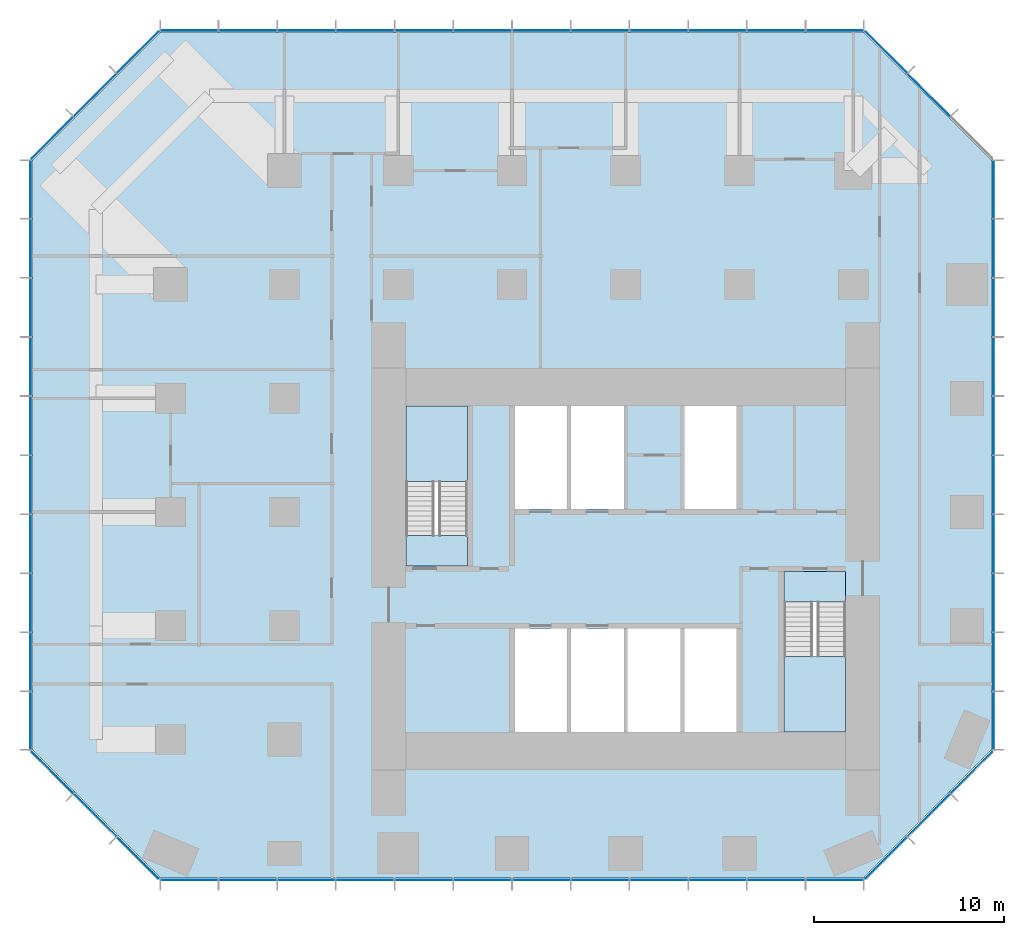
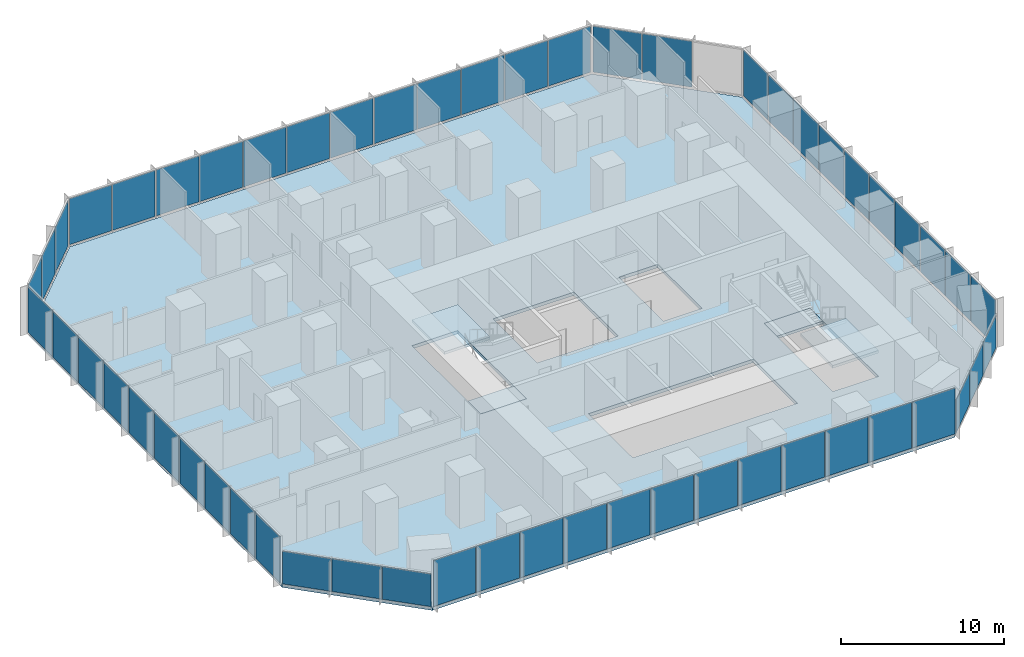
# One storey, part 7 of 11: 55 plates, 5 slabs, 10 elements without a shape of their own.
"""IFC4 building model written with IfcOpenShell, lengths in metres."""

from ifc_helpers import new_model, si_unit, direction, frame, origin, origin_2d, place, context, subcontext, project, spatial, polyline, rectangle, outline, extrude, material, layer, layer_set, type_object, element, aggregate, save


model = new_model("IFC4")

# Units and contexts
model_context = context("Model", 3, precision=1e-05, world=origin(), true_north=direction((0.0, 1.0)))
body_context = subcontext(model_context, "Body", "Model", "MODEL_VIEW")
ifc_project = project(units=[si_unit("LENGTHUNIT", "METRE"), si_unit("AREAUNIT", "SQUARE_METRE"), si_unit("VOLUMEUNIT", "CUBIC_METRE"), si_unit("PLANEANGLEUNIT", "RADIAN"), si_unit("MASSUNIT", "GRAM", prefix="KILO")], contexts=[model_context])

# Site, building, storey
site_placement = place(None, origin())
site = spatial("IfcSite", under=ifc_project, at=site_placement, CompositionType="ELEMENT")
building_placement = place(site_placement, origin())
building = spatial("IfcBuilding", under=site, at=building_placement, Name="Highveld Stack Headquarters", CompositionType="ELEMENT")
storey_placement = place(building_placement, frame((0.0, 0.0, 113.300048828125)))
storey = spatial("IfcBuildingStorey", under=building, at=storey_placement, Name="L27", CompositionType="ELEMENT", Elevation=113.300048828125)

# Curtain wall, plates
ifc_material_1 = material(Name="Aluminium bronze anodised", Category="aluminium")
ifc_layer_1 = layer(ifc_material_1, 0.199951171875)
ifc_layer_set_1 = layer_set([ifc_layer_1], Name="Aluminium bronze anodised")
curtain_wall_type_1 = type_object("IfcCurtainWallType", Name="CW1 TOWER UNITISED CURTAIN WALL", PredefinedType="NOTDEFINED", material=ifc_layer_set_1)
curtain_wall_1_placement = place(storey_placement, origin())
curtain_wall_1 = element("IfcCurtainWall", 1, at=curtain_wall_1_placement, inside=storey, type_object=curtain_wall_type_1, Name="Curtain wall CW1 L27 S", PredefinedType="NOTDEFINED")
ifc_material_2 = material(Name="Glass bronze tinted double glazed unit", Category="glass")
ifc_layer_2 = layer(ifc_material_2, 0.028076171875)
ifc_layer_set_2 = layer_set([ifc_layer_2], Name="Glass bronze tinted double glazed unit")
plate_type_1 = type_object("IfcPlateType", Name="CW1 PANEL BRONZE TINTED DOUBLE GLAZED UNIT", PredefinedType="CURTAIN_PANEL", material=ifc_layer_set_2)
plate_1_placement = place(storey_placement, frame((-17.015380859375, -13.39990234375, 0.10009765625), z_axis=(0.0, 0.0, 1.0), x_axis=(1.0, 0.0, 0.0)))
plate_1 = element("IfcPlate", 2, at=plate_1_placement, type_object=plate_type_1, Name="CW1 panel L27 1.1", PredefinedType="CURTAIN_PANEL", context=body_context, shape_type="SweptSolid", body=[
    extrude(rectangle(XDim=2.9990234375, YDim=0.028076171875, at=origin_2d()), origin(), (0.0, 0.0, 1.0), 3.449951171875),
])
plate_2_placement = place(storey_placement, frame((-13.934814453125, -13.39990234375, 0.10009765625), z_axis=(0.0, 0.0, 1.0), x_axis=(1.0, 0.0, 0.0)))
plate_2 = element("IfcPlate", 3, at=plate_2_placement, type_object=plate_type_1, Name="CW1 panel L27 2.1", PredefinedType="CURTAIN_PANEL", context=body_context, shape_type="SweptSolid", body=[
    extrude(rectangle(XDim=3.031494140625, YDim=0.028076171875, at=origin_2d()), origin(), (0.0, 0.0, 1.0), 3.449951171875),
])
plate_3_placement = place(storey_placement, frame((-10.83837890625, -13.39990234375, 0.10009765625), z_axis=(0.0, 0.0, 1.0), x_axis=(1.0, 0.0, 0.0)))
plate_3 = element("IfcPlate", 4, at=plate_3_placement, type_object=plate_type_1, Name="CW1 panel L27 3.1", PredefinedType="CURTAIN_PANEL", context=body_context, shape_type="SweptSolid", body=[
    extrude(rectangle(XDim=3.031494140625, YDim=0.028076171875, at=origin_2d()), origin(), (0.0, 0.0, 1.0), 3.449951171875),
])
plate_4_placement = place(storey_placement, frame((-7.74169921875, -13.39990234375, 0.10009765625), z_axis=(0.0, 0.0, 1.0), x_axis=(1.0, 0.0, 0.0)))
plate_4 = element("IfcPlate", 5, at=plate_4_placement, type_object=plate_type_1, Name="CW1 panel L27 4.1", PredefinedType="CURTAIN_PANEL", context=body_context, shape_type="SweptSolid", body=[
    extrude(rectangle(XDim=3.031494140625, YDim=0.028076171875, at=origin_2d()), origin(), (0.0, 0.0, 1.0), 3.449951171875),
])
plate_5_placement = place(storey_placement, frame((-4.64501953125, -13.39990234375, 0.10009765625), z_axis=(0.0, 0.0, 1.0), x_axis=(1.0, 0.0, 0.0)))
plate_5 = element("IfcPlate", 6, at=plate_5_placement, type_object=plate_type_1, Name="CW1 panel L27 5.1", PredefinedType="CURTAIN_PANEL", context=body_context, shape_type="SweptSolid", body=[
    extrude(rectangle(XDim=3.031494140625, YDim=0.028076171875, at=origin_2d()), origin(), (0.0, 0.0, 1.0), 3.449951171875),
])
plate_6_placement = place(storey_placement, frame((-1.54833984375, -13.39990234375, 0.10009765625), z_axis=(0.0, 0.0, 1.0), x_axis=(1.0, 0.0, 0.0)))
plate_6 = element("IfcPlate", 7, at=plate_6_placement, type_object=plate_type_1, Name="CW1 panel L27 6.1", PredefinedType="CURTAIN_PANEL", context=body_context, shape_type="SweptSolid", body=[
    extrude(rectangle(XDim=3.031494140625, YDim=0.028076171875, at=origin_2d()), origin(), (0.0, 0.0, 1.0), 3.449951171875),
])
plate_7_placement = place(storey_placement, frame((1.54833984375, -13.39990234375, 0.10009765625), z_axis=(0.0, 0.0, 1.0), x_axis=(1.0, 0.0, 0.0)))
plate_7 = element("IfcPlate", 8, at=plate_7_placement, type_object=plate_type_1, Name="CW1 panel L27 7.1", PredefinedType="CURTAIN_PANEL", context=body_context, shape_type="SweptSolid", body=[
    extrude(rectangle(XDim=3.03173828125, YDim=0.028076171875, at=origin_2d()), origin(), (0.0, 0.0, 1.0), 3.449951171875),
])
plate_8_placement = place(storey_placement, frame((4.64501953125, -13.39990234375, 0.10009765625), z_axis=(0.0, 0.0, 1.0), x_axis=(1.0, 0.0, 0.0)))
plate_8 = element("IfcPlate", 9, at=plate_8_placement, type_object=plate_type_1, Name="CW1 panel L27 8.1", PredefinedType="CURTAIN_PANEL", context=body_context, shape_type="SweptSolid", body=[
    extrude(rectangle(XDim=3.03173828125, YDim=0.028076171875, at=origin_2d()), origin(), (0.0, 0.0, 1.0), 3.449951171875),
])
plate_9_placement = place(storey_placement, frame((7.74169921875, -13.39990234375, 0.10009765625), z_axis=(0.0, 0.0, 1.0), x_axis=(1.0, 0.0, 0.0)))
plate_9 = element("IfcPlate", 10, at=plate_9_placement, type_object=plate_type_1, Name="CW1 panel L27 9.1", PredefinedType="CURTAIN_PANEL", context=body_context, shape_type="SweptSolid", body=[
    extrude(rectangle(XDim=3.03173828125, YDim=0.028076171875, at=origin_2d()), origin(), (0.0, 0.0, 1.0), 3.449951171875),
])
plate_10_placement = place(storey_placement, frame((10.83837890625, -13.39990234375, 0.10009765625), z_axis=(0.0, 0.0, 1.0), x_axis=(1.0, 0.0, 0.0)))
plate_10 = element("IfcPlate", 11, at=plate_10_placement, type_object=plate_type_1, Name="CW1 panel L27 10.1", PredefinedType="CURTAIN_PANEL", context=body_context, shape_type="SweptSolid", body=[
    extrude(rectangle(XDim=3.03173828125, YDim=0.028076171875, at=origin_2d()), origin(), (0.0, 0.0, 1.0), 3.449951171875),
])
plate_11_placement = place(storey_placement, frame((13.934814453125, -13.39990234375, 0.10009765625), z_axis=(0.0, 0.0, 1.0), x_axis=(1.0, 0.0, 0.0)))
plate_11 = element("IfcPlate", 12, at=plate_11_placement, type_object=plate_type_1, Name="CW1 panel L27 11.1", PredefinedType="CURTAIN_PANEL", context=body_context, shape_type="SweptSolid", body=[
    extrude(rectangle(XDim=3.03173828125, YDim=0.028076171875, at=origin_2d()), origin(), (0.0, 0.0, 1.0), 3.449951171875),
])
plate_12_placement = place(storey_placement, frame((17.015380859375, -13.39990234375, 0.10009765625), z_axis=(0.0, 0.0, 1.0), x_axis=(1.0, 0.0, 0.0)))
plate_12 = element("IfcPlate", 13, at=plate_12_placement, type_object=plate_type_1, Name="CW1 panel L27 12.1", PredefinedType="CURTAIN_PANEL", context=body_context, shape_type="SweptSolid", body=[
    extrude(rectangle(XDim=2.999267578125, YDim=0.028076171875, at=origin_2d()), origin(), (0.0, 0.0, 1.0), 3.449951171875),
])
aggregate(curtain_wall_1, [plate_1, plate_2, plate_3, plate_4, plate_5, plate_6, plate_7, plate_8, plate_9, plate_10, plate_11, plate_12])

curtain_wall_2_placement = place(storey_placement, origin())
curtain_wall_2 = element("IfcCurtainWall", 14, at=curtain_wall_2_placement, inside=storey, type_object=curtain_wall_type_1, Name="Curtain wall CW1 L27 E", PredefinedType="NOTDEFINED")
plate_13_placement = place(storey_placement, frame((25.39990234375, -5.005615234375, 0.10009765625), z_axis=(0.0, 0.0, 1.0), x_axis=(0.0, 1.0, 0.0)))
plate_13 = element("IfcPlate", 15, at=plate_13_placement, type_object=plate_type_1, Name="CW1 panel L27 1.1", PredefinedType="CURTAIN_PANEL", context=body_context, shape_type="SweptSolid", body=[
    extrude(rectangle(XDim=3.0185546875, YDim=0.028076171875, at=origin_2d()), origin(), (0.0, 0.0, 1.0), 3.449951171875),
])
plate_14_placement = place(storey_placement, frame((25.39990234375, -1.906005859375, 0.10009765625), z_axis=(0.0, 0.0, 1.0), x_axis=(0.0, 1.0, 0.0)))
plate_14 = element("IfcPlate", 16, at=plate_14_placement, type_object=plate_type_1, Name="CW1 panel L27 2.1", PredefinedType="CURTAIN_PANEL", context=body_context, shape_type="SweptSolid", body=[
    extrude(rectangle(XDim=3.051025390625, YDim=0.028076171875, at=origin_2d()), origin(), (0.0, 0.0, 1.0), 3.449951171875),
])
plate_15_placement = place(storey_placement, frame((25.39990234375, 1.2099609375, 0.10009765625), z_axis=(0.0, 0.0, 1.0), x_axis=(0.0, 1.0, 0.0)))
plate_15 = element("IfcPlate", 17, at=plate_15_placement, type_object=plate_type_1, Name="CW1 panel L27 3.1", PredefinedType="CURTAIN_PANEL", context=body_context, shape_type="SweptSolid", body=[
    extrude(rectangle(XDim=3.051025390625, YDim=0.028076171875, at=origin_2d()), origin(), (0.0, 0.0, 1.0), 3.449951171875),
])
plate_16_placement = place(storey_placement, frame((25.39990234375, 4.325927734375, 0.10009765625), z_axis=(0.0, 0.0, 1.0), x_axis=(0.0, 1.0, 0.0)))
plate_16 = element("IfcPlate", 18, at=plate_16_placement, type_object=plate_type_1, Name="CW1 panel L27 4.1", PredefinedType="CURTAIN_PANEL", context=body_context, shape_type="SweptSolid", body=[
    extrude(rectangle(XDim=3.051025390625, YDim=0.028076171875, at=origin_2d()), origin(), (0.0, 0.0, 1.0), 3.449951171875),
])
plate_17_placement = place(storey_placement, frame((25.39990234375, 7.44189453125, 0.10009765625), z_axis=(0.0, 0.0, 1.0), x_axis=(0.0, 1.0, 0.0)))
plate_17 = element("IfcPlate", 19, at=plate_17_placement, type_object=plate_type_1, Name="CW1 panel L27 5.1", PredefinedType="CURTAIN_PANEL", context=body_context, shape_type="SweptSolid", body=[
    extrude(rectangle(XDim=3.051025390625, YDim=0.028076171875, at=origin_2d()), origin(), (0.0, 0.0, 1.0), 3.449951171875),
])
plate_18_placement = place(storey_placement, frame((25.39990234375, 10.55810546875, 0.10009765625), z_axis=(0.0, 0.0, 1.0), x_axis=(0.0, 1.0, 0.0)))
plate_18 = element("IfcPlate", 20, at=plate_18_placement, type_object=plate_type_1, Name="CW1 panel L27 6.1", PredefinedType="CURTAIN_PANEL", context=body_context, shape_type="SweptSolid", body=[
    extrude(rectangle(XDim=3.051025390625, YDim=0.028076171875, at=origin_2d()), origin(), (0.0, 0.0, 1.0), 3.449951171875),
])
plate_19_placement = place(storey_placement, frame((25.39990234375, 13.674072265625, 0.10009765625), z_axis=(0.0, 0.0, 1.0), x_axis=(0.0, 1.0, 0.0)))
plate_19 = element("IfcPlate", 21, at=plate_19_placement, type_object=plate_type_1, Name="CW1 panel L27 7.1", PredefinedType="CURTAIN_PANEL", context=body_context, shape_type="SweptSolid", body=[
    extrude(rectangle(XDim=3.051025390625, YDim=0.028076171875, at=origin_2d()), origin(), (0.0, 0.0, 1.0), 3.449951171875),
])
plate_20_placement = place(storey_placement, frame((25.39990234375, 16.789794921875, 0.10009765625), z_axis=(0.0, 0.0, 1.0), x_axis=(0.0, 1.0, 0.0)))
plate_20 = element("IfcPlate", 22, at=plate_20_placement, type_object=plate_type_1, Name="CW1 panel L27 8.1", PredefinedType="CURTAIN_PANEL", context=body_context, shape_type="SweptSolid", body=[
    extrude(rectangle(XDim=3.051025390625, YDim=0.028076171875, at=origin_2d()), origin(), (0.0, 0.0, 1.0), 3.449951171875),
])
plate_21_placement = place(storey_placement, frame((25.39990234375, 19.906005859375, 0.10009765625), z_axis=(0.0, 0.0, 1.0), x_axis=(0.0, 1.0, 0.0)))
plate_21 = element("IfcPlate", 23, at=plate_21_placement, type_object=plate_type_1, Name="CW1 panel L27 9.1", PredefinedType="CURTAIN_PANEL", context=body_context, shape_type="SweptSolid", body=[
    extrude(rectangle(XDim=3.051025390625, YDim=0.028076171875, at=origin_2d()), origin(), (0.0, 0.0, 1.0), 3.449951171875),
])
plate_22_placement = place(storey_placement, frame((25.39990234375, 23.005615234375, 0.10009765625), z_axis=(0.0, 0.0, 1.0), x_axis=(0.0, 1.0, 0.0)))
plate_22 = element("IfcPlate", 24, at=plate_22_placement, type_object=plate_type_1, Name="CW1 panel L27 10.1", PredefinedType="CURTAIN_PANEL", context=body_context, shape_type="SweptSolid", body=[
    extrude(rectangle(XDim=3.0185546875, YDim=0.028076171875, at=origin_2d()), origin(), (0.0, 0.0, 1.0), 3.449951171875),
])
aggregate(curtain_wall_2, [plate_13, plate_14, plate_15, plate_16, plate_17, plate_18, plate_19, plate_20, plate_21, plate_22])

curtain_wall_3_placement = place(storey_placement, origin())
curtain_wall_3 = element("IfcCurtainWall", 25, at=curtain_wall_3_placement, inside=storey, type_object=curtain_wall_type_1, Name="Curtain wall CW1 L27 N", PredefinedType="NOTDEFINED")
plate_23_placement = place(storey_placement, frame((17.015380859375, 31.39990234375, 0.10009765625), z_axis=(0.0, 0.0, 1.0), x_axis=(-1.0, 0.0, 0.0)))
plate_23 = element("IfcPlate", 26, at=plate_23_placement, type_object=plate_type_1, Name="CW1 panel L27 1.1", PredefinedType="CURTAIN_PANEL", context=body_context, shape_type="SweptSolid", body=[
    extrude(rectangle(XDim=2.9990234375, YDim=0.028076171875, at=origin_2d()), origin(), (0.0, 0.0, 1.0), 3.449951171875),
])
plate_24_placement = place(storey_placement, frame((13.934814453125, 31.39990234375, 0.10009765625), z_axis=(0.0, 0.0, 1.0), x_axis=(-1.0, 0.0, 0.0)))
plate_24 = element("IfcPlate", 27, at=plate_24_placement, type_object=plate_type_1, Name="CW1 panel L27 2.1", PredefinedType="CURTAIN_PANEL", context=body_context, shape_type="SweptSolid", body=[
    extrude(rectangle(XDim=3.031494140625, YDim=0.028076171875, at=origin_2d()), origin(), (0.0, 0.0, 1.0), 3.449951171875),
])
plate_25_placement = place(storey_placement, frame((10.83837890625, 31.39990234375, 0.10009765625), z_axis=(0.0, 0.0, 1.0), x_axis=(-1.0, 0.0, 0.0)))
plate_25 = element("IfcPlate", 28, at=plate_25_placement, type_object=plate_type_1, Name="CW1 panel L27 3.1", PredefinedType="CURTAIN_PANEL", context=body_context, shape_type="SweptSolid", body=[
    extrude(rectangle(XDim=3.031494140625, YDim=0.028076171875, at=origin_2d()), origin(), (0.0, 0.0, 1.0), 3.449951171875),
])
plate_26_placement = place(storey_placement, frame((7.74169921875, 31.39990234375, 0.10009765625), z_axis=(0.0, 0.0, 1.0), x_axis=(-1.0, 0.0, 0.0)))
plate_26 = element("IfcPlate", 29, at=plate_26_placement, type_object=plate_type_1, Name="CW1 panel L27 4.1", PredefinedType="CURTAIN_PANEL", context=body_context, shape_type="SweptSolid", body=[
    extrude(rectangle(XDim=3.031494140625, YDim=0.028076171875, at=origin_2d()), origin(), (0.0, 0.0, 1.0), 3.449951171875),
])
plate_27_placement = place(storey_placement, frame((4.64501953125, 31.39990234375, 0.10009765625), z_axis=(0.0, 0.0, 1.0), x_axis=(-1.0, 0.0, 0.0)))
plate_27 = element("IfcPlate", 30, at=plate_27_placement, type_object=plate_type_1, Name="CW1 panel L27 5.1", PredefinedType="CURTAIN_PANEL", context=body_context, shape_type="SweptSolid", body=[
    extrude(rectangle(XDim=3.031494140625, YDim=0.028076171875, at=origin_2d()), origin(), (0.0, 0.0, 1.0), 3.449951171875),
])
plate_28_placement = place(storey_placement, frame((1.54833984375, 31.39990234375, 0.10009765625), z_axis=(0.0, 0.0, 1.0), x_axis=(-1.0, 0.0, 0.0)))
plate_28 = element("IfcPlate", 31, at=plate_28_placement, type_object=plate_type_1, Name="CW1 panel L27 6.1", PredefinedType="CURTAIN_PANEL", context=body_context, shape_type="SweptSolid", body=[
    extrude(rectangle(XDim=3.031494140625, YDim=0.028076171875, at=origin_2d()), origin(), (0.0, 0.0, 1.0), 3.449951171875),
])
plate_29_placement = place(storey_placement, frame((-1.54833984375, 31.39990234375, 0.10009765625), z_axis=(0.0, 0.0, 1.0), x_axis=(-1.0, 0.0, 0.0)))
plate_29 = element("IfcPlate", 32, at=plate_29_placement, type_object=plate_type_1, Name="CW1 panel L27 7.1", PredefinedType="CURTAIN_PANEL", context=body_context, shape_type="SweptSolid", body=[
    extrude(rectangle(XDim=3.03173828125, YDim=0.028076171875, at=origin_2d()), origin(), (0.0, 0.0, 1.0), 3.449951171875),
])
plate_30_placement = place(storey_placement, frame((-4.64501953125, 31.39990234375, 0.10009765625), z_axis=(0.0, 0.0, 1.0), x_axis=(-1.0, 0.0, 0.0)))
plate_30 = element("IfcPlate", 33, at=plate_30_placement, type_object=plate_type_1, Name="CW1 panel L27 8.1", PredefinedType="CURTAIN_PANEL", context=body_context, shape_type="SweptSolid", body=[
    extrude(rectangle(XDim=3.03173828125, YDim=0.028076171875, at=origin_2d()), origin(), (0.0, 0.0, 1.0), 3.449951171875),
])
plate_31_placement = place(storey_placement, frame((-7.74169921875, 31.39990234375, 0.10009765625), z_axis=(0.0, 0.0, 1.0), x_axis=(-1.0, 0.0, 0.0)))
plate_31 = element("IfcPlate", 34, at=plate_31_placement, type_object=plate_type_1, Name="CW1 panel L27 9.1", PredefinedType="CURTAIN_PANEL", context=body_context, shape_type="SweptSolid", body=[
    extrude(rectangle(XDim=3.03173828125, YDim=0.028076171875, at=origin_2d()), origin(), (0.0, 0.0, 1.0), 3.449951171875),
])
plate_32_placement = place(storey_placement, frame((-10.83837890625, 31.39990234375, 0.10009765625), z_axis=(0.0, 0.0, 1.0), x_axis=(-1.0, 0.0, 0.0)))
plate_32 = element("IfcPlate", 35, at=plate_32_placement, type_object=plate_type_1, Name="CW1 panel L27 10.1", PredefinedType="CURTAIN_PANEL", context=body_context, shape_type="SweptSolid", body=[
    extrude(rectangle(XDim=3.03173828125, YDim=0.028076171875, at=origin_2d()), origin(), (0.0, 0.0, 1.0), 3.449951171875),
])
plate_33_placement = place(storey_placement, frame((-13.934814453125, 31.39990234375, 0.10009765625), z_axis=(0.0, 0.0, 1.0), x_axis=(-1.0, 0.0, 0.0)))
plate_33 = element("IfcPlate", 36, at=plate_33_placement, type_object=plate_type_1, Name="CW1 panel L27 11.1", PredefinedType="CURTAIN_PANEL", context=body_context, shape_type="SweptSolid", body=[
    extrude(rectangle(XDim=3.03173828125, YDim=0.028076171875, at=origin_2d()), origin(), (0.0, 0.0, 1.0), 3.449951171875),
])
plate_34_placement = place(storey_placement, frame((-17.015380859375, 31.39990234375, 0.10009765625), z_axis=(0.0, 0.0, 1.0), x_axis=(-1.0, 0.0, 0.0)))
plate_34 = element("IfcPlate", 37, at=plate_34_placement, type_object=plate_type_1, Name="CW1 panel L27 12.1", PredefinedType="CURTAIN_PANEL", context=body_context, shape_type="SweptSolid", body=[
    extrude(rectangle(XDim=2.999267578125, YDim=0.028076171875, at=origin_2d()), origin(), (0.0, 0.0, 1.0), 3.449951171875),
])
aggregate(curtain_wall_3, [plate_23, plate_24, plate_25, plate_26, plate_27, plate_28, plate_29, plate_30, plate_31, plate_32, plate_33, plate_34])

curtain_wall_4_placement = place(storey_placement, origin())
curtain_wall_4 = element("IfcCurtainWall", 38, at=curtain_wall_4_placement, inside=storey, type_object=curtain_wall_type_1, Name="Curtain wall CW1 L27 W", PredefinedType="NOTDEFINED")
plate_35_placement = place(storey_placement, frame((-25.39990234375, 23.005615234375, 0.10009765625), z_axis=(0.0, 0.0, 1.0), x_axis=(0.0, -1.0, 0.0)))
plate_35 = element("IfcPlate", 39, at=plate_35_placement, type_object=plate_type_1, Name="CW1 panel L27 1.1", PredefinedType="CURTAIN_PANEL", context=body_context, shape_type="SweptSolid", body=[
    extrude(rectangle(XDim=3.0185546875, YDim=0.028076171875, at=origin_2d()), origin(), (0.0, 0.0, 1.0), 3.449951171875),
])
plate_36_placement = place(storey_placement, frame((-25.39990234375, 19.906005859375, 0.10009765625), z_axis=(0.0, 0.0, 1.0), x_axis=(0.0, -1.0, 0.0)))
plate_36 = element("IfcPlate", 40, at=plate_36_placement, type_object=plate_type_1, Name="CW1 panel L27 2.1", PredefinedType="CURTAIN_PANEL", context=body_context, shape_type="SweptSolid", body=[
    extrude(rectangle(XDim=3.051025390625, YDim=0.028076171875, at=origin_2d()), origin(), (0.0, 0.0, 1.0), 3.449951171875),
])
plate_37_placement = place(storey_placement, frame((-25.39990234375, 16.7900390625, 0.10009765625), z_axis=(0.0, 0.0, 1.0), x_axis=(0.0, -1.0, 0.0)))
plate_37 = element("IfcPlate", 41, at=plate_37_placement, type_object=plate_type_1, Name="CW1 panel L27 3.1", PredefinedType="CURTAIN_PANEL", context=body_context, shape_type="SweptSolid", body=[
    extrude(rectangle(XDim=3.051025390625, YDim=0.028076171875, at=origin_2d()), origin(), (0.0, 0.0, 1.0), 3.449951171875),
])
plate_38_placement = place(storey_placement, frame((-25.39990234375, 13.674072265625, 0.10009765625), z_axis=(0.0, 0.0, 1.0), x_axis=(0.0, -1.0, 0.0)))
plate_38 = element("IfcPlate", 42, at=plate_38_placement, type_object=plate_type_1, Name="CW1 panel L27 4.1", PredefinedType="CURTAIN_PANEL", context=body_context, shape_type="SweptSolid", body=[
    extrude(rectangle(XDim=3.051025390625, YDim=0.028076171875, at=origin_2d()), origin(), (0.0, 0.0, 1.0), 3.449951171875),
])
plate_39_placement = place(storey_placement, frame((-25.39990234375, 10.55810546875, 0.10009765625), z_axis=(0.0, 0.0, 1.0), x_axis=(0.0, -1.0, 0.0)))
plate_39 = element("IfcPlate", 43, at=plate_39_placement, type_object=plate_type_1, Name="CW1 panel L27 5.1", PredefinedType="CURTAIN_PANEL", context=body_context, shape_type="SweptSolid", body=[
    extrude(rectangle(XDim=3.051025390625, YDim=0.028076171875, at=origin_2d()), origin(), (0.0, 0.0, 1.0), 3.449951171875),
])
plate_40_placement = place(storey_placement, frame((-25.39990234375, 7.44189453125, 0.10009765625), z_axis=(0.0, 0.0, 1.0), x_axis=(0.0, -1.0, 0.0)))
plate_40 = element("IfcPlate", 44, at=plate_40_placement, type_object=plate_type_1, Name="CW1 panel L27 6.1", PredefinedType="CURTAIN_PANEL", context=body_context, shape_type="SweptSolid", body=[
    extrude(rectangle(XDim=3.051025390625, YDim=0.028076171875, at=origin_2d()), origin(), (0.0, 0.0, 1.0), 3.449951171875),
])
plate_41_placement = place(storey_placement, frame((-25.39990234375, 4.325927734375, 0.10009765625), z_axis=(0.0, 0.0, 1.0), x_axis=(0.0, -1.0, 0.0)))
plate_41 = element("IfcPlate", 45, at=plate_41_placement, type_object=plate_type_1, Name="CW1 panel L27 7.1", PredefinedType="CURTAIN_PANEL", context=body_context, shape_type="SweptSolid", body=[
    extrude(rectangle(XDim=3.051025390625, YDim=0.028076171875, at=origin_2d()), origin(), (0.0, 0.0, 1.0), 3.449951171875),
])
plate_42_placement = place(storey_placement, frame((-25.39990234375, 1.210205078125, 0.10009765625), z_axis=(0.0, 0.0, 1.0), x_axis=(0.0, -1.0, 0.0)))
plate_42 = element("IfcPlate", 46, at=plate_42_placement, type_object=plate_type_1, Name="CW1 panel L27 8.1", PredefinedType="CURTAIN_PANEL", context=body_context, shape_type="SweptSolid", body=[
    extrude(rectangle(XDim=3.051025390625, YDim=0.028076171875, at=origin_2d()), origin(), (0.0, 0.0, 1.0), 3.449951171875),
])
plate_43_placement = place(storey_placement, frame((-25.39990234375, -1.906005859375, 0.10009765625), z_axis=(0.0, 0.0, 1.0), x_axis=(0.0, -1.0, 0.0)))
plate_43 = element("IfcPlate", 47, at=plate_43_placement, type_object=plate_type_1, Name="CW1 panel L27 9.1", PredefinedType="CURTAIN_PANEL", context=body_context, shape_type="SweptSolid", body=[
    extrude(rectangle(XDim=3.051025390625, YDim=0.028076171875, at=origin_2d()), origin(), (0.0, 0.0, 1.0), 3.449951171875),
])
plate_44_placement = place(storey_placement, frame((-25.39990234375, -5.005615234375, 0.10009765625), z_axis=(0.0, 0.0, 1.0), x_axis=(0.0, -1.0, 0.0)))
plate_44 = element("IfcPlate", 48, at=plate_44_placement, type_object=plate_type_1, Name="CW1 panel L27 10.1", PredefinedType="CURTAIN_PANEL", context=body_context, shape_type="SweptSolid", body=[
    extrude(rectangle(XDim=3.0185546875, YDim=0.028076171875, at=origin_2d()), origin(), (0.0, 0.0, 1.0), 3.449951171875),
])
aggregate(curtain_wall_4, [plate_35, plate_36, plate_37, plate_38, plate_39, plate_40, plate_41, plate_42, plate_43, plate_44])

ifc_material_3 = material(Name="Aluminium bronze anodised", Category="aluminium")
ifc_layer_3 = layer(ifc_material_3, 0.199951171875)
ifc_layer_set_3 = layer_set([ifc_layer_3], Name="Aluminium bronze anodised")
curtain_wall_type_2 = type_object("IfcCurtainWallType", Name="CW2 TOWER CHAMFER UNITISED CURTAIN WALL", PredefinedType="NOTDEFINED", material=ifc_layer_set_3)
curtain_wall_5_placement = place(storey_placement, origin())
curtain_wall_5 = element("IfcCurtainWall", 49, at=curtain_wall_5_placement, inside=storey, type_object=curtain_wall_type_2, Name="Curtain wall CW2 L27 SE", PredefinedType="NOTDEFINED")
ifc_material_4 = material(Name="Glass bronze tinted double glazed unit", Category="glass")
ifc_layer_4 = layer(ifc_material_4, 0.028076171875)
ifc_layer_set_4 = layer_set([ifc_layer_4], Name="Glass bronze tinted double glazed unit")
plate_type_2 = type_object("IfcPlateType", Name="CW2 PANEL BRONZE TINTED DOUBLE GLAZED UNIT", PredefinedType="CURTAIN_PANEL", material=ifc_layer_set_4)
plate_45_placement = place(storey_placement, frame((19.740478515625, -12.239501953125, 0.10009765625), z_axis=(0.0, 0.0, 1.0), x_axis=(0.707106781187, 0.707106781187, 0.0)))
plate_45 = element("IfcPlate", 50, at=plate_45_placement, type_object=plate_type_2, Name="CW2 panel L27 1.1", PredefinedType="CURTAIN_PANEL", context=body_context, shape_type="SweptSolid", body=[
    extrude(rectangle(XDim=3.08251953125, YDim=0.028076171875, at=origin_2d()), origin(), (0.0, 0.0, 1.0), 2.449951171875),
])
plate_46_placement = place(storey_placement, frame((21.989990234375, -9.989990234375, 0.10009765625), z_axis=(0.0, 0.0, 1.0), x_axis=(0.707106781187, 0.707106781187, 0.0)))
plate_46 = element("IfcPlate", 51, at=plate_46_placement, type_object=plate_type_2, Name="CW2 panel L27 2.1", PredefinedType="CURTAIN_PANEL", context=body_context, shape_type="SweptSolid", body=[
    extrude(rectangle(XDim=3.14990234375, YDim=0.028076171875, at=origin_2d()), origin(), (0.0, 0.0, 1.0), 2.449951171875),
])
plate_47_placement = place(storey_placement, frame((24.239501953125, -7.740478515625, 0.10009765625), z_axis=(0.0, 0.0, 1.0), x_axis=(0.707106781187, 0.707106781187, 0.0)))
plate_47 = element("IfcPlate", 52, at=plate_47_placement, type_object=plate_type_2, Name="CW2 panel L27 3.1", PredefinedType="CURTAIN_PANEL", context=body_context, shape_type="SweptSolid", body=[
    extrude(rectangle(XDim=3.08251953125, YDim=0.028076171875, at=origin_2d()), origin(), (0.0, 0.0, 1.0), 2.449951171875),
])
aggregate(curtain_wall_5, [plate_45, plate_46, plate_47])

curtain_wall_6_placement = place(storey_placement, origin())
curtain_wall_6 = element("IfcCurtainWall", 53, at=curtain_wall_6_placement, inside=storey, type_object=curtain_wall_type_2, Name="Curtain wall CW2 L27 NE", PredefinedType="NOTDEFINED")
plate_48_placement = place(storey_placement, frame((21.989990234375, 27.989990234375, 0.10009765625), z_axis=(0.0, 0.0, 1.0), x_axis=(-0.707106781187, 0.707106781187, 0.0)))
plate_48 = element("IfcPlate", 54, at=plate_48_placement, type_object=plate_type_2, Name="CW2 panel L27 2.1", PredefinedType="CURTAIN_PANEL", context=body_context, shape_type="SweptSolid", body=[
    extrude(rectangle(XDim=3.14990234375, YDim=0.028076171875, at=origin_2d()), origin(), (0.0, 0.0, 1.0), 3.449951171875),
])
plate_49_placement = place(storey_placement, frame((19.740478515625, 30.239501953125, 0.10009765625), z_axis=(0.0, 0.0, 1.0), x_axis=(-0.707106781187, 0.707106781187, 0.0)))
plate_49 = element("IfcPlate", 55, at=plate_49_placement, type_object=plate_type_2, Name="CW2 panel L27 3.1", PredefinedType="CURTAIN_PANEL", context=body_context, shape_type="SweptSolid", body=[
    extrude(rectangle(XDim=3.08251953125, YDim=0.028076171875, at=origin_2d()), origin(), (0.0, 0.0, 1.0), 3.449951171875),
])
aggregate(curtain_wall_6, [plate_48, plate_49])

curtain_wall_7_placement = place(storey_placement, origin())
curtain_wall_7 = element("IfcCurtainWall", 56, at=curtain_wall_7_placement, inside=storey, type_object=curtain_wall_type_2, Name="Curtain wall CW2 L27 NW", PredefinedType="NOTDEFINED")
plate_50_placement = place(storey_placement, frame((-19.740478515625, 30.239501953125, 0.10009765625), z_axis=(0.0, 0.0, 1.0), x_axis=(-0.707106781187, -0.707106781187, 0.0)))
plate_50 = element("IfcPlate", 57, at=plate_50_placement, type_object=plate_type_2, Name="CW2 panel L27 1.1", PredefinedType="CURTAIN_PANEL", context=body_context, shape_type="SweptSolid", body=[
    extrude(rectangle(XDim=3.08251953125, YDim=0.028076171875, at=origin_2d()), origin(), (0.0, 0.0, 1.0), 3.449951171875),
])
plate_51_placement = place(storey_placement, frame((-21.989990234375, 27.989990234375, 0.10009765625), z_axis=(0.0, 0.0, 1.0), x_axis=(-0.707106781187, -0.707106781187, 0.0)))
plate_51 = element("IfcPlate", 58, at=plate_51_placement, type_object=plate_type_2, Name="CW2 panel L27 2.1", PredefinedType="CURTAIN_PANEL", context=body_context, shape_type="SweptSolid", body=[
    extrude(rectangle(XDim=3.14990234375, YDim=0.028076171875, at=origin_2d()), origin(), (0.0, 0.0, 1.0), 3.449951171875),
])
plate_52_placement = place(storey_placement, frame((-24.239501953125, 25.740478515625, 0.10009765625), z_axis=(0.0, 0.0, 1.0), x_axis=(-0.707106781187, -0.707106781187, 0.0)))
plate_52 = element("IfcPlate", 59, at=plate_52_placement, type_object=plate_type_2, Name="CW2 panel L27 3.1", PredefinedType="CURTAIN_PANEL", context=body_context, shape_type="SweptSolid", body=[
    extrude(rectangle(XDim=3.08251953125, YDim=0.028076171875, at=origin_2d()), origin(), (0.0, 0.0, 1.0), 3.449951171875),
])
aggregate(curtain_wall_7, [plate_50, plate_51, plate_52])

curtain_wall_8_placement = place(storey_placement, origin())
curtain_wall_8 = element("IfcCurtainWall", 60, at=curtain_wall_8_placement, inside=storey, type_object=curtain_wall_type_2, Name="Curtain wall CW2 L27 SW", PredefinedType="NOTDEFINED")
plate_53_placement = place(storey_placement, frame((-24.239501953125, -7.740478515625, 0.10009765625), z_axis=(0.0, 0.0, 1.0), x_axis=(0.707106781187, -0.707106781187, 0.0)))
plate_53 = element("IfcPlate", 61, at=plate_53_placement, type_object=plate_type_2, Name="CW2 panel L27 1.1", PredefinedType="CURTAIN_PANEL", context=body_context, shape_type="SweptSolid", body=[
    extrude(rectangle(XDim=3.08251953125, YDim=0.028076171875, at=origin_2d()), origin(), (0.0, 0.0, 1.0), 2.449951171875),
])
plate_54_placement = place(storey_placement, frame((-21.989990234375, -9.989990234375, 0.10009765625), z_axis=(0.0, 0.0, 1.0), x_axis=(0.707106781187, -0.707106781187, 0.0)))
plate_54 = element("IfcPlate", 62, at=plate_54_placement, type_object=plate_type_2, Name="CW2 panel L27 2.1", PredefinedType="CURTAIN_PANEL", context=body_context, shape_type="SweptSolid", body=[
    extrude(rectangle(XDim=3.14990234375, YDim=0.028076171875, at=origin_2d()), origin(), (0.0, 0.0, 1.0), 2.449951171875),
])
plate_55_placement = place(storey_placement, frame((-19.740478515625, -12.239501953125, 0.10009765625), z_axis=(0.0, 0.0, 1.0), x_axis=(0.707106781187, -0.707106781187, 0.0)))
plate_55 = element("IfcPlate", 63, at=plate_55_placement, type_object=plate_type_2, Name="CW2 panel L27 3.1", PredefinedType="CURTAIN_PANEL", context=body_context, shape_type="SweptSolid", body=[
    extrude(rectangle(XDim=3.08251953125, YDim=0.028076171875, at=origin_2d()), origin(), (0.0, 0.0, 1.0), 2.449951171875),
])
aggregate(curtain_wall_8, [plate_53, plate_54, plate_55])

# Slab
ifc_material_5 = material(Name="Concrete C60/75", Category="concrete")
ifc_layer_5 = layer(ifc_material_5, 0.25)
ifc_layer_set_5 = layer_set([ifc_layer_5], Name="Concrete C60/75")
slab_type_1 = type_object("IfcSlabType", Name="PT FLAT SLAB 250", PredefinedType="FLOOR", material=ifc_layer_set_5)
slab_1_placement = place(storey_placement, frame((0.0, 0.0, -0.25)))
element("IfcSlab", 64, at=slab_1_placement, inside=storey, type_object=slab_type_1, Name="Floor slab L27", PredefinedType="FLOOR", context=body_context, shape_type="SweptSolid", body=[
    extrude(outline(polyline([(-18.53857421875, -13.300048828125), (18.53857421875, -13.300048828125), (25.300048828125, -6.53857421875), (25.300048828125, 24.53857421875), (18.53857421875, 31.300048828125), (-18.53857421875, 31.300048828125), (-25.300048828125, 24.53857421875), (-25.300048828125, -6.53857421875), (-18.53857421875, -13.300048828125)]), holes=[polyline([(0.14990234375, 6.14990234375), (5.89990234375, 6.14990234375), (5.89990234375, 11.60009765625), (0.14990234375, 11.60009765625), (0.14990234375, 6.14990234375)]), polyline([(9.10009765625, 6.14990234375), (11.85009765625, 6.14990234375), (11.85009765625, 11.60009765625), (9.10009765625, 11.60009765625), (9.10009765625, 6.14990234375)]), polyline([(0.14990234375, -5.60009765625), (11.85009765625, -5.60009765625), (11.85009765625, -0.14990234375), (0.14990234375, -0.14990234375), (0.14990234375, -5.60009765625)]), polyline([(-5.60009765625, 3.14990234375), (-2.35009765625, 3.14990234375), (-2.35009765625, 11.60009765625), (-5.60009765625, 11.60009765625), (-5.60009765625, 3.14990234375)]), polyline([(14.35009765625, -5.60009765625), (17.60009765625, -5.60009765625), (17.60009765625, 2.85009765625), (14.35009765625, 2.85009765625), (14.35009765625, -5.60009765625)])]), origin(), (0.0, 0.0, 1.0), 0.25),
])

# Stair, slabs
ifc_material_6 = material(Name="Concrete C40/50, precast", Category="concrete")
stair_type_1 = type_object("IfcStairType", Name="STAIR S1 HALF TURN 1500", PredefinedType="HALF_TURN_STAIR", material=ifc_material_6)
stair_1_placement = place(storey_placement, origin())
stair_1 = element("IfcStair", 65, at=stair_1_placement, inside=storey, type_object=stair_type_1, Name="Stair S1 L27", PredefinedType="HALF_TURN_STAIR")
ifc_material_7 = material(Name="Concrete C40/50, precast", Category="concrete")
ifc_layer_6 = layer(ifc_material_7, 0.199951171875)
ifc_layer_set_6 = layer_set([ifc_layer_6], Name="Concrete C40/50, precast")
slab_type_2 = type_object("IfcSlabType", Name="STAIR LANDING 200", PredefinedType="LANDING", material=ifc_layer_set_6)
slab_2_placement = place(storey_placement, frame((0.0, 0.0, 1.75)))
slab_2 = element("IfcSlab", 66, at=slab_2_placement, type_object=slab_type_2, Name="S1 landing 1", PredefinedType="LANDING", context=body_context, shape_type="SweptSolid", body=[
    extrude(outline(polyline([(-5.60009765625, 7.610107421875), (-2.35009765625, 7.610107421875), (-2.35009765625, 11.60009765625), (-5.60009765625, 11.60009765625), (-5.60009765625, 7.610107421875)])), origin(), (0.0, 0.0, 1.0), 0.199951171875),
])
slab_3_placement = place(storey_placement, frame((0.0, 0.0, -0.199951171875)))
slab_3 = element("IfcSlab", 67, at=slab_3_placement, type_object=slab_type_2, Name="S1 landing 2", PredefinedType="LANDING", context=body_context, shape_type="SweptSolid", body=[
    extrude(outline(polyline([(-5.60009765625, 3.14990234375), (-2.35009765625, 3.14990234375), (-2.35009765625, 4.75), (-5.60009765625, 4.75), (-5.60009765625, 3.14990234375)])), origin(), (0.0, 0.0, 1.0), 0.199951171875),
])
aggregate(stair_1, [slab_2, slab_3])

ifc_material_8 = material(Name="Concrete C40/50, precast", Category="concrete")
stair_type_2 = type_object("IfcStairType", Name="STAIR S2 HALF TURN 1500", PredefinedType="HALF_TURN_STAIR", material=ifc_material_8)
stair_2_placement = place(storey_placement, origin())
stair_2 = element("IfcStair", 68, at=stair_2_placement, inside=storey, type_object=stair_type_2, Name="Stair S2 L27", PredefinedType="HALF_TURN_STAIR")
slab_4_placement = place(storey_placement, frame((0.0, 0.0, 1.75)))
slab_4 = element("IfcSlab", 69, at=slab_4_placement, type_object=slab_type_2, Name="S2 landing 1", PredefinedType="LANDING", context=body_context, shape_type="SweptSolid", body=[
    extrude(outline(polyline([(14.35009765625, -5.60009765625), (17.60009765625, -5.60009765625), (17.60009765625, -1.610107421875), (14.35009765625, -1.610107421875), (14.35009765625, -5.60009765625)])), origin(), (0.0, 0.0, 1.0), 0.199951171875),
])
slab_5_placement = place(storey_placement, frame((0.0, 0.0, -0.199951171875)))
slab_5 = element("IfcSlab", 70, at=slab_5_placement, type_object=slab_type_2, Name="S2 landing 2", PredefinedType="LANDING", context=body_context, shape_type="SweptSolid", body=[
    extrude(outline(polyline([(14.35009765625, 1.25), (17.60009765625, 1.25), (17.60009765625, 2.85009765625), (14.35009765625, 2.85009765625), (14.35009765625, 1.25)])), origin(), (0.0, 0.0, 1.0), 0.199951171875),
])
aggregate(stair_2, [slab_4, slab_5])

save(model, "model.ifc")
